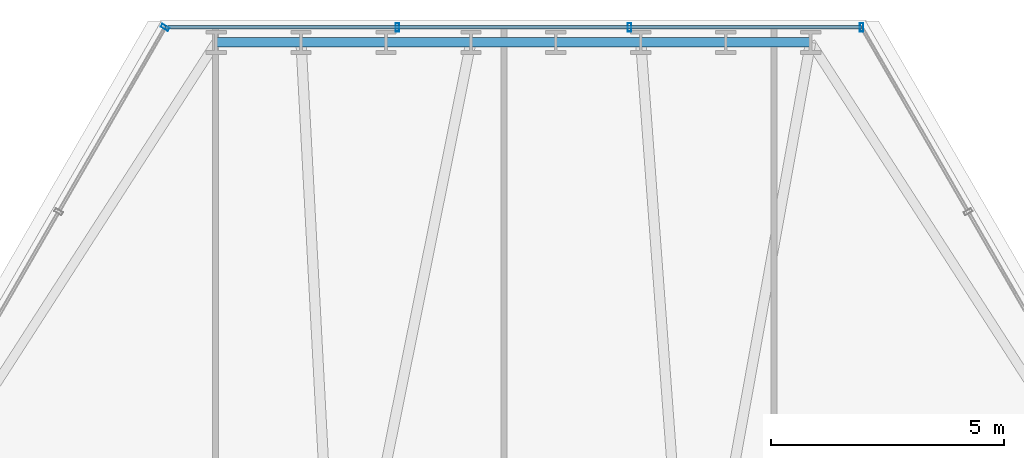
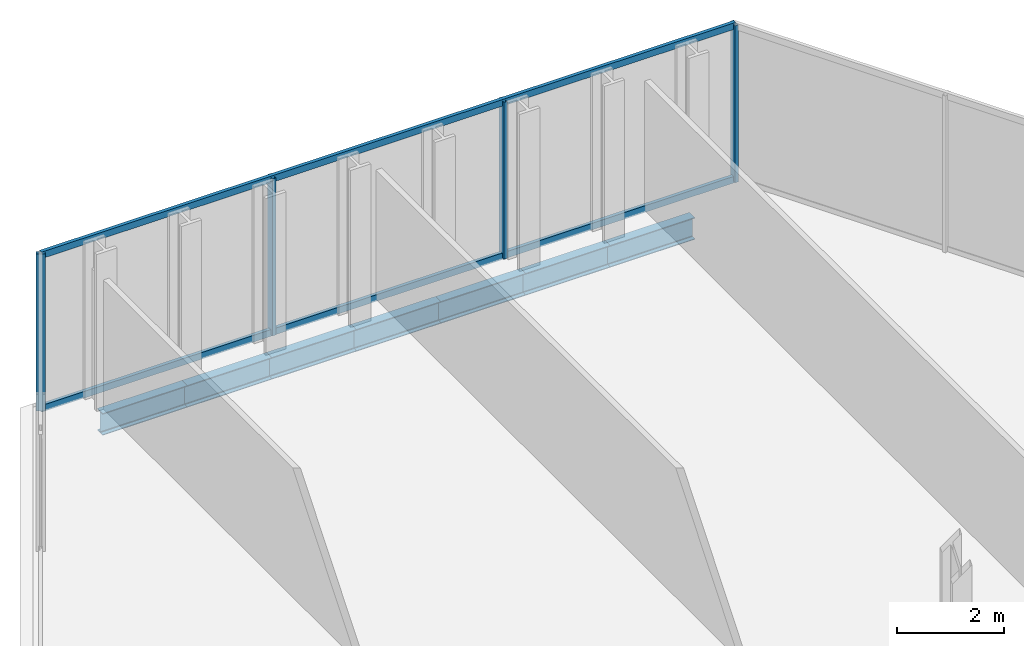
# One storey, part 24 of 32: 7 beams, 6 members, 2 elements without a shape of their own.
"""IFC4 building model written with IfcOpenShell, lengths in metres."""

from ifc_helpers import new_model, si_unit, direction, frame, origin, origin_2d, place, context, subcontext, project, spatial, hollow_rectangle, i_section, extrude, material, layer, layer_set, material_profile, profile_set, type_object, element, aggregate, save


model = new_model("IFC4")

# Units and contexts
model_context = context("Model", 3, precision=1e-05, world=origin(), true_north=direction((0.0, 1.0)))
body_context = subcontext(model_context, "Body", "Model", "MODEL_VIEW")
ifc_project = project(units=[si_unit("LENGTHUNIT", "METRE"), si_unit("AREAUNIT", "SQUARE_METRE"), si_unit("VOLUMEUNIT", "CUBIC_METRE"), si_unit("PLANEANGLEUNIT", "RADIAN"), si_unit("MASSUNIT", "GRAM", prefix="KILO")], contexts=[model_context])

# Site, building, storey
site_placement = place(None, origin())
site = spatial("IfcSite", under=ifc_project, at=site_placement, CompositionType="ELEMENT")
building_placement = place(site_placement, origin())
building = spatial("IfcBuilding", under=site, at=building_placement, Name="Ndaravel Arena Tower", CompositionType="ELEMENT")
storey_placement = place(building_placement, frame((0.0, 0.0, 70.199951171875)))
storey = spatial("IfcBuildingStorey", under=building, at=storey_placement, Name="L15", CompositionType="ELEMENT", Elevation=70.199951171875)

# Beams
ifc_material_1 = material(Name="Steel S355", Category="steel")
ifc_material_profile_1 = material_profile(ifc_material_1, i_section(OverallWidth=0.199951171875, OverallDepth=0.5, WebThickness=0.01025390625, FlangeThickness=0.01611328125, FilletRadius=0.02099609375, at=origin_2d()), Name="IPE 500")
ifc_profile_set_1 = profile_set([ifc_material_profile_1], Name="Steel S355")
beam_type = type_object("IfcBeamType", Name="BM-SPAN-IPE500", PredefinedType="SPANDREL", material=ifc_profile_set_1)
for number, where, z_axis, x_axis, name in (
    (1, (48.38916015625, 45.545654296875, -0.469970703125), (-1.0, 0.0, 0.0), (0.0, -1.0, 0.0), "L15 Perimeter Spandrel Beam SP-11"),
    (2, (46.563720703125, 45.545654296875, -0.469970703125), (-1.0, 0.0, 0.0), (0.0, -1.0, 0.0), "L15 Perimeter Spandrel Beam SP-12"),
):
    element("IfcBeam", number, at=place(storey_placement, frame(where, z_axis=z_axis, x_axis=x_axis)), inside=storey, type_object=beam_type, Name=name, PredefinedType="SPANDREL", context=body_context, shape_type="SweptSolid", body=[
        extrude(i_section(OverallWidth=0.199951171875, OverallDepth=0.5, WebThickness=0.01025390625, FlangeThickness=0.01611328125, FilletRadius=0.02099609375, at=origin_2d()), origin(), (0.0, 0.0, 1.0), 1.825439453125),
    ])
beam_1_placement = place(storey_placement, frame((44.73828125, 45.545654296875, -0.469970703125), z_axis=(-1.0, 0.0, 0.0), x_axis=(0.0, -1.0, 0.0)))
element("IfcBeam", 3, at=beam_1_placement, inside=storey, type_object=beam_type, Name="L15 Perimeter Spandrel Beam SP-13", PredefinedType="SPANDREL", context=body_context, shape_type="SweptSolid", body=[
    extrude(i_section(OverallWidth=0.199951171875, OverallDepth=0.5, WebThickness=0.01025390625, FlangeThickness=0.01611328125, FilletRadius=0.02099609375, at=origin_2d()), origin(), (0.0, 0.0, 1.0), 1.82568359375),
])
beam_2_placement = place(storey_placement, frame((42.91259765625, 45.545654296875, -0.469970703125), z_axis=(-1.0, 0.0, 0.0), x_axis=(0.0, -1.0, 0.0)))
element("IfcBeam", 4, at=beam_2_placement, inside=storey, type_object=beam_type, Name="L15 Perimeter Spandrel Beam SP-14", PredefinedType="SPANDREL", context=body_context, shape_type="SweptSolid", body=[
    extrude(i_section(OverallWidth=0.199951171875, OverallDepth=0.5, WebThickness=0.01025390625, FlangeThickness=0.01611328125, FilletRadius=0.02099609375, at=origin_2d()), origin(), (0.0, 0.0, 1.0), 1.8251953125),
])
beam_3_placement = place(storey_placement, frame((41.08740234375, 45.545654296875, -0.469970703125), z_axis=(-1.0, 0.0, 0.0), x_axis=(0.0, -1.0, 0.0)))
element("IfcBeam", 5, at=beam_3_placement, inside=storey, type_object=beam_type, Name="L15 Perimeter Spandrel Beam SP-15", PredefinedType="SPANDREL", context=body_context, shape_type="SweptSolid", body=[
    extrude(i_section(OverallWidth=0.199951171875, OverallDepth=0.5, WebThickness=0.01025390625, FlangeThickness=0.01611328125, FilletRadius=0.02099609375, at=origin_2d()), origin(), (0.0, 0.0, 1.0), 1.82568359375),
])
for number, where, z_axis, x_axis, name in (
    (6, (39.26171875, 45.545654296875, -0.469970703125), (-1.0, 0.0, 0.0), (0.0, -1.0, 0.0), "L15 Perimeter Spandrel Beam SP-16"),
    (7, (37.436279296875, 45.545654296875, -0.469970703125), (-1.0, 0.0, 0.0), (0.0, -1.0, 0.0), "L15 Perimeter Spandrel Beam SP-17"),
):
    element("IfcBeam", number, at=place(storey_placement, frame(where, z_axis=z_axis, x_axis=x_axis)), inside=storey, type_object=beam_type, Name=name, PredefinedType="SPANDREL", context=body_context, shape_type="SweptSolid", body=[
        extrude(i_section(OverallWidth=0.199951171875, OverallDepth=0.5, WebThickness=0.01025390625, FlangeThickness=0.01611328125, FilletRadius=0.02099609375, at=origin_2d()), origin(), (0.0, 0.0, 1.0), 1.825439453125),
    ])

# Curtain wall, members
ifc_material_2 = material(Name="Aluminium", Category="aluminium")
ifc_layer_1 = layer(ifc_material_2, 0.179931640625)
ifc_layer_set_1 = layer_set([ifc_layer_1], Name="Aluminium")
curtain_wall_type_1 = type_object("IfcCurtainWallType", Name="CW-SYS-01", PredefinedType="NOTDEFINED", material=ifc_layer_set_1)
curtain_wall_1_placement = place(storey_placement, origin())
curtain_wall_1 = element("IfcCurtainWall", 8, at=curtain_wall_1_placement, inside=storey, type_object=curtain_wall_type_1, Name="L15 Faceted Crystal Curtain Wall CW-L15-E04", PredefinedType="NOTDEFINED")
ifc_material_3 = material(Name="Aluminium", Category="aluminium")
ifc_material_profile_2 = material_profile(ifc_material_3, hollow_rectangle(XDim=0.074951171875, YDim=0.179931640625, WallThickness=0.00390625, at=origin_2d()), Name="CW MULLION 75x180x4")
ifc_profile_set_2 = profile_set([ifc_material_profile_2], Name="Aluminium")
member_type_1 = type_object("IfcMemberType", Name="MEM-CW-MUL180", PredefinedType="MULLION", material=ifc_profile_set_2)
member_1_placement = place(storey_placement, frame((49.486572265625, 45.865478515625, 0.0), z_axis=(0.0, 0.0, 1.0), x_axis=(-1.0, 0.0, 0.0)))
member_1 = element("IfcMember", 9, at=member_1_placement, type_object=member_type_1, Name="CW-L15-E04 Mullion 00", PredefinedType="MULLION", context=body_context, shape_type="SweptSolid", body=[
    extrude(hollow_rectangle(XDim=0.074951171875, YDim=0.179931640625, WallThickness=0.00390625, at=origin_2d()), origin(), (0.0, 0.0, 1.0), 3.580078125),
])
member_2_placement = place(storey_placement, frame((44.49560546875, 45.865478515625, 0.0), z_axis=(0.0, 0.0, 1.0), x_axis=(-1.0, 0.0, 0.0)))
member_2 = element("IfcMember", 10, at=member_2_placement, type_object=member_type_1, Name="CW-L15-E04 Mullion 01", PredefinedType="MULLION", context=body_context, shape_type="SweptSolid", body=[
    extrude(hollow_rectangle(XDim=0.074951171875, YDim=0.179931640625, WallThickness=0.00390625, at=origin_2d()), origin(), (0.0, 0.0, 1.0), 3.580078125),
])
member_3_placement = place(storey_placement, frame((39.50439453125, 45.865478515625, 0.0), z_axis=(0.0, 0.0, 1.0), x_axis=(-1.0, 0.0, 0.0)))
member_3 = element("IfcMember", 11, at=member_3_placement, type_object=member_type_1, Name="CW-L15-E04 Mullion 02", PredefinedType="MULLION", context=body_context, shape_type="SweptSolid", body=[
    extrude(hollow_rectangle(XDim=0.074951171875, YDim=0.179931640625, WallThickness=0.00390625, at=origin_2d()), origin(), (0.0, 0.0, 1.0), 3.580078125),
])

# Curtain wall, member
ifc_material_4 = material(Name="Aluminium", Category="aluminium")
ifc_layer_2 = layer(ifc_material_4, 0.179931640625)
ifc_layer_set_2 = layer_set([ifc_layer_2], Name="Aluminium")
curtain_wall_type_2 = type_object("IfcCurtainWallType", Name="CW-SYS-03", PredefinedType="NOTDEFINED", material=ifc_layer_set_2)
curtain_wall_2_placement = place(storey_placement, origin())
curtain_wall_2 = element("IfcCurtainWall", 12, at=curtain_wall_2_placement, inside=storey, type_object=curtain_wall_type_2, Name="L15 Faceted Crystal Curtain Wall CW-L15-E05", PredefinedType="NOTDEFINED")
member_4_placement = place(storey_placement, frame((34.513427734375, 45.865478515625, 0.0), z_axis=(0.0, 0.0, 1.0), x_axis=(-0.5, -0.866025403784, 0.0)))
member_4 = element("IfcMember", 13, at=member_4_placement, type_object=member_type_1, Name="CW-L15-E05 Mullion 00", PredefinedType="MULLION", context=body_context, shape_type="SweptSolid", body=[
    extrude(hollow_rectangle(XDim=0.074951171875, YDim=0.179931640625, WallThickness=0.00390625, at=origin_2d()), origin(), (0.0, 0.0, 1.0), 3.580078125),
])
aggregate(curtain_wall_2, [member_4])

# Member
ifc_material_5 = material(Name="Aluminium", Category="aluminium")
ifc_material_profile_3 = material_profile(ifc_material_5, hollow_rectangle(XDim=0.074951171875, YDim=0.14990234375, WallThickness=0.00390625, at=origin_2d()), Name="CW TRANSOM 75x150x4")
ifc_profile_set_3 = profile_set([ifc_material_profile_3], Name="Aluminium")
member_type_2 = type_object("IfcMemberType", Name="MEM-CW-TRN150", PredefinedType="USERDEFINED", material=ifc_profile_set_3)
member_5_placement = place(storey_placement, frame((49.486572265625, 45.865478515625, 0.0400390625), z_axis=(-1.0, 0.0, 0.0), x_axis=(0.0, -1.0, 0.0)))
member_5 = element("IfcMember", 14, at=member_5_placement, type_object=member_type_2, Name="CW-L15-E04 Transom 01", ObjectType="TRANSOM", PredefinedType="USERDEFINED", context=body_context, shape_type="SweptSolid", body=[
    extrude(hollow_rectangle(XDim=0.074951171875, YDim=0.14990234375, WallThickness=0.00390625, at=origin_2d()), origin(), (0.0, 0.0, 1.0), 14.97314453125),
])

member_6_placement = place(storey_placement, frame((49.486572265625, 45.865478515625, 3.5400390625), z_axis=(-1.0, 0.0, 0.0), x_axis=(0.0, -1.0, 0.0)))
member_6 = element("IfcMember", 15, at=member_6_placement, type_object=member_type_2, Name="CW-L15-E04 Transom 02", ObjectType="TRANSOM", PredefinedType="USERDEFINED", context=body_context, shape_type="SweptSolid", body=[
    extrude(hollow_rectangle(XDim=0.074951171875, YDim=0.14990234375, WallThickness=0.00390625, at=origin_2d()), origin(), (0.0, 0.0, 1.0), 14.97314453125),
])

aggregate(curtain_wall_1, [member_1, member_2, member_3, member_5, member_6])

save(model, "model.ifc")
